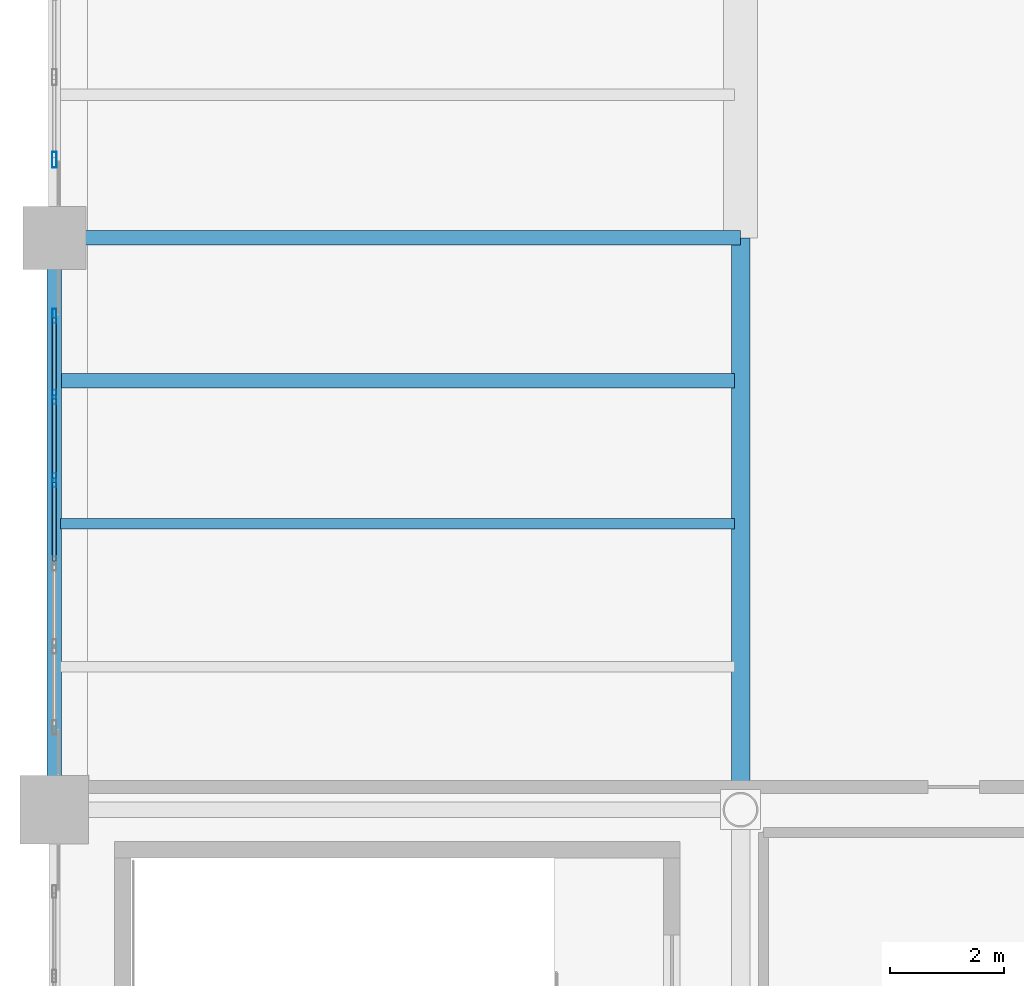
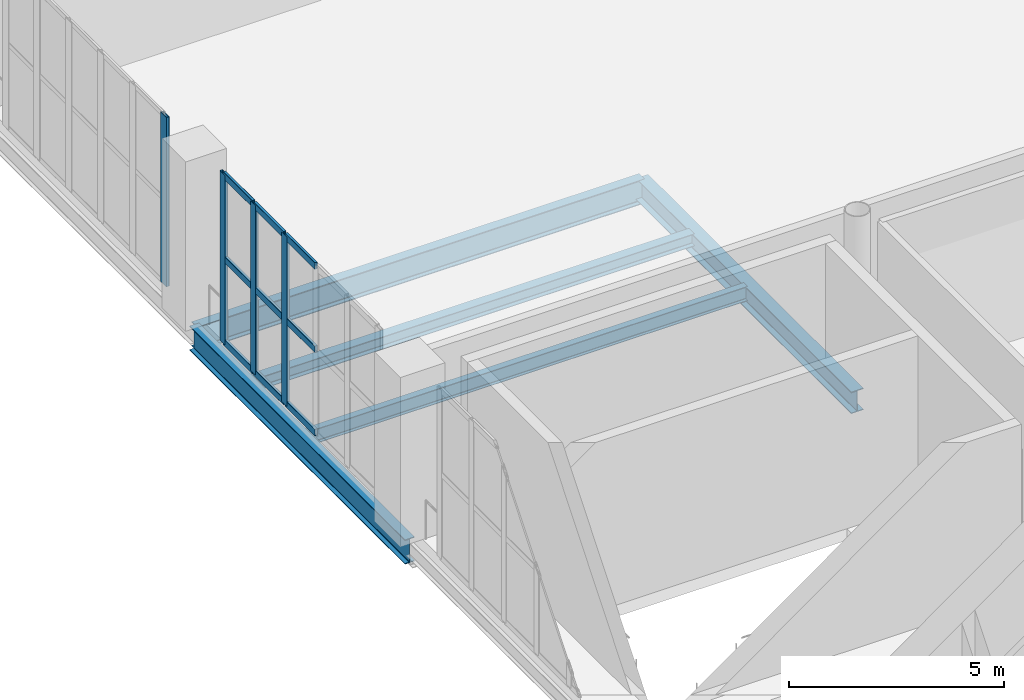
# One storey, part 16 of 49: 13 members, 5 beams, 2 elements without a shape of their own.
"""IFC4 building model written with IfcOpenShell, lengths in metres."""

from ifc_helpers import new_model, si_unit, direction, frame, origin, origin_2d, place, context, subcontext, project, spatial, hollow_rectangle, i_section, extrude, material, layer, layer_set, material_profile, profile_set, type_object, element, aggregate, save


model = new_model("IFC4")

# Units and contexts
model_context = context("Model", 3, precision=1e-05, world=origin(), true_north=direction((0.0, 1.0)))
body_context = subcontext(model_context, "Body", "Model", "MODEL_VIEW")
ifc_project = project(units=[si_unit("LENGTHUNIT", "METRE"), si_unit("AREAUNIT", "SQUARE_METRE"), si_unit("VOLUMEUNIT", "CUBIC_METRE"), si_unit("PLANEANGLEUNIT", "RADIAN"), si_unit("MASSUNIT", "GRAM", prefix="KILO")], contexts=[model_context])

# Site, building, storey
site_placement = place(None, origin())
site = spatial("IfcSite", under=ifc_project, at=site_placement, CompositionType="ELEMENT")
building_placement = place(site_placement, origin())
building = spatial("IfcBuilding", under=site, at=building_placement, Name="Brinegate Civic Arena", CompositionType="ELEMENT")
storey_placement = place(building_placement, frame((0.0, 0.0, 24.60009765625)))
storey = spatial("IfcBuildingStorey", under=building, at=storey_placement, Name="L05", CompositionType="ELEMENT", Elevation=24.60009765625)

# Curtain wall, members
ifc_material_1 = material(Name="Marine grade aluminium", Category="aluminium")
ifc_layer = layer(ifc_material_1, 0.199951171875, Name="Marine grade aluminium")
ifc_layer_set = layer_set([ifc_layer], Name="Marine grade aluminium")
curtain_wall_type = type_object("IfcCurtainWallType", Name="CW-BOWL-GLAZED-01", PredefinedType="USERDEFINED", material=ifc_layer_set)
curtain_wall_1_placement = place(storey_placement, origin())
curtain_wall_1 = element("IfcCurtainWall", 1, at=curtain_wall_1_placement, inside=storey, type_object=curtain_wall_type, Name="Curtain Wall CWA-158", ObjectType="GLAZED CURTAIN WALL", PredefinedType="USERDEFINED")
ifc_material_profile_1 = material_profile(ifc_material_1, hollow_rectangle(XDim=0.074951171875, YDim=0.25, WallThickness=0.006103515625, InnerFilletRadius=0.00390625, OuterFilletRadius=0.008056640625, at=origin_2d()), Name="MUL75X250")
ifc_profile_set_1 = profile_set([ifc_material_profile_1], Name="Marine grade aluminium")
member_type_1 = type_object("IfcMemberType", Name="CW-MULLION-75X250", PredefinedType="MULLION", material=ifc_profile_set_1)
member_1_placement = place(storey_placement, frame((48.0, 57.7626953125, 0.0), z_axis=(0.0, 0.0, 1.0), x_axis=(-1.0, 0.0, 0.0)))
member_1 = element("IfcMember", 2, at=member_1_placement, type_object=member_type_1, Name="CWA-158 mullion 4", PredefinedType="MULLION", context=body_context, shape_type="SweptSolid", body=[
    extrude(hollow_rectangle(XDim=0.074951171875, YDim=0.25, WallThickness=0.006103515625, InnerFilletRadius=0.00390625, OuterFilletRadius=0.008056640625, at=origin_2d()), origin(), (0.0, 0.0, 1.0), 4.7998046875),
])
member_2_placement = place(storey_placement, frame((48.0, 59.21728515625, 0.0), z_axis=(0.0, 0.0, 1.0), x_axis=(-1.0, 0.0, 0.0)))
member_2 = element("IfcMember", 3, at=member_2_placement, type_object=member_type_1, Name="CWA-158 mullion 5", PredefinedType="MULLION", context=body_context, shape_type="SweptSolid", body=[
    extrude(hollow_rectangle(XDim=0.074951171875, YDim=0.25, WallThickness=0.006103515625, InnerFilletRadius=0.00390625, OuterFilletRadius=0.008056640625, at=origin_2d()), origin(), (0.0, 0.0, 1.0), 4.7998046875),
])
member_3_placement = place(storey_placement, frame((48.0, 60.634521484375, 0.0), z_axis=(0.0, 0.0, 1.0), x_axis=(-1.0, 0.0, 0.0)))
member_3 = element("IfcMember", 4, at=member_3_placement, type_object=member_type_1, Name="CWA-158 mullion 6", PredefinedType="MULLION", context=body_context, shape_type="SweptSolid", body=[
    extrude(hollow_rectangle(XDim=0.074951171875, YDim=0.25, WallThickness=0.006103515625, InnerFilletRadius=0.00390625, OuterFilletRadius=0.008056640625, at=origin_2d()), origin(), (0.0, 0.0, 1.0), 4.7998046875),
])

# Curtain wall, member
curtain_wall_2_placement = place(storey_placement, origin())
curtain_wall_2 = element("IfcCurtainWall", 5, at=curtain_wall_2_placement, inside=storey, type_object=curtain_wall_type, Name="Curtain Wall CWA-159", ObjectType="GLAZED CURTAIN WALL", PredefinedType="USERDEFINED")
ifc_material_profile_2 = material_profile(ifc_material_1, hollow_rectangle(XDim=0.080078125, YDim=0.280029296875, WallThickness=0.007080078125, InnerFilletRadius=0.0048828125, OuterFilletRadius=0.010009765625, at=origin_2d()), Name="MUL80X280")
ifc_profile_set_2 = profile_set([ifc_material_profile_2], Name="Marine grade aluminium")
member_type_2 = type_object("IfcMemberType", Name="CW-MULLION-80X280", PredefinedType="MULLION", material=ifc_profile_set_2)
member_4_placement = place(storey_placement, frame((48.0, 63.367919921875, 0.0), z_axis=(0.0, 0.0, 1.0), x_axis=(-1.0, 0.0, 0.0)))
member_4 = element("IfcMember", 6, at=member_4_placement, type_object=member_type_2, Name="CWA-159 mullion 1", PredefinedType="MULLION", context=body_context, shape_type="SweptSolid", body=[
    extrude(hollow_rectangle(XDim=0.080078125, YDim=0.280029296875, WallThickness=0.007080078125, InnerFilletRadius=0.0048828125, OuterFilletRadius=0.010009765625, at=origin_2d()), origin(), (0.0, 0.0, 1.0), 4.7998046875),
])
aggregate(curtain_wall_2, [member_4])

# Member
ifc_material_profile_3 = material_profile(ifc_material_1, hollow_rectangle(XDim=0.074951171875, YDim=0.18994140625, WallThickness=0.006103515625, InnerFilletRadius=0.00390625, OuterFilletRadius=0.008056640625, at=origin_2d()), Name="TRN75X190")
ifc_profile_set_3 = profile_set([ifc_material_profile_3], Name="Marine grade aluminium")
member_type_3 = type_object("IfcMemberType", Name="CW-TRANSOM-75X190", PredefinedType="USERDEFINED", material=ifc_profile_set_3)
member_5_placement = place(storey_placement, frame((48.0, 56.345703125, 0.037353515625), z_axis=(0.0, 1.0, 0.0), x_axis=(-1.0, 0.0, 0.0)))
member_5 = element("IfcMember", 7, at=member_5_placement, type_object=member_type_3, Name="CWA-158 transom 3.1", ObjectType="TRANSOM", PredefinedType="USERDEFINED", context=body_context, shape_type="SweptSolid", body=[
    extrude(hollow_rectangle(XDim=0.074951171875, YDim=0.18994140625, WallThickness=0.006103515625, InnerFilletRadius=0.00390625, OuterFilletRadius=0.008056640625, at=origin_2d()), origin(), (0.0, 0.0, 1.0), 1.379638671875),
])

member_6_placement = place(storey_placement, frame((48.0, 56.345703125, 2.39990234375), z_axis=(0.0, 1.0, 0.0), x_axis=(-1.0, 0.0, 0.0)))
member_6 = element("IfcMember", 8, at=member_6_placement, type_object=member_type_3, Name="CWA-158 transom 3.2", ObjectType="TRANSOM", PredefinedType="USERDEFINED", context=body_context, shape_type="SweptSolid", body=[
    extrude(hollow_rectangle(XDim=0.074951171875, YDim=0.18994140625, WallThickness=0.006103515625, InnerFilletRadius=0.00390625, OuterFilletRadius=0.008056640625, at=origin_2d()), origin(), (0.0, 0.0, 1.0), 1.379638671875),
])

member_7_placement = place(storey_placement, frame((48.0, 56.345703125, 4.762451171875), z_axis=(0.0, 1.0, 0.0), x_axis=(-1.0, 0.0, 0.0)))
member_7 = element("IfcMember", 9, at=member_7_placement, type_object=member_type_3, Name="CWA-158 transom 3.3", ObjectType="TRANSOM", PredefinedType="USERDEFINED", context=body_context, shape_type="SweptSolid", body=[
    extrude(hollow_rectangle(XDim=0.074951171875, YDim=0.18994140625, WallThickness=0.006103515625, InnerFilletRadius=0.00390625, OuterFilletRadius=0.008056640625, at=origin_2d()), origin(), (0.0, 0.0, 1.0), 1.379638671875),
])

member_8_placement = place(storey_placement, frame((48.0, 57.80029296875, 0.037353515625), z_axis=(0.0, 1.0, 0.0), x_axis=(-1.0, 0.0, 0.0)))
member_8 = element("IfcMember", 10, at=member_8_placement, type_object=member_type_3, Name="CWA-158 transom 4.1", ObjectType="TRANSOM", PredefinedType="USERDEFINED", context=body_context, shape_type="SweptSolid", body=[
    extrude(hollow_rectangle(XDim=0.074951171875, YDim=0.18994140625, WallThickness=0.006103515625, InnerFilletRadius=0.00390625, OuterFilletRadius=0.008056640625, at=origin_2d()), origin(), (0.0, 0.0, 1.0), 1.379638671875),
])

member_9_placement = place(storey_placement, frame((48.0, 57.80029296875, 2.39990234375), z_axis=(0.0, 1.0, 0.0), x_axis=(-1.0, 0.0, 0.0)))
member_9 = element("IfcMember", 11, at=member_9_placement, type_object=member_type_3, Name="CWA-158 transom 4.2", ObjectType="TRANSOM", PredefinedType="USERDEFINED", context=body_context, shape_type="SweptSolid", body=[
    extrude(hollow_rectangle(XDim=0.074951171875, YDim=0.18994140625, WallThickness=0.006103515625, InnerFilletRadius=0.00390625, OuterFilletRadius=0.008056640625, at=origin_2d()), origin(), (0.0, 0.0, 1.0), 1.379638671875),
])

member_10_placement = place(storey_placement, frame((48.0, 57.80029296875, 4.762451171875), z_axis=(0.0, 1.0, 0.0), x_axis=(-1.0, 0.0, 0.0)))
member_10 = element("IfcMember", 12, at=member_10_placement, type_object=member_type_3, Name="CWA-158 transom 4.3", ObjectType="TRANSOM", PredefinedType="USERDEFINED", context=body_context, shape_type="SweptSolid", body=[
    extrude(hollow_rectangle(XDim=0.074951171875, YDim=0.18994140625, WallThickness=0.006103515625, InnerFilletRadius=0.00390625, OuterFilletRadius=0.008056640625, at=origin_2d()), origin(), (0.0, 0.0, 1.0), 1.379638671875),
])

member_11_placement = place(storey_placement, frame((48.0, 59.2548828125, 0.037353515625), z_axis=(0.0, 1.0, 0.0), x_axis=(-1.0, 0.0, 0.0)))
member_11 = element("IfcMember", 13, at=member_11_placement, type_object=member_type_3, Name="CWA-158 transom 5.1", ObjectType="TRANSOM", PredefinedType="USERDEFINED", context=body_context, shape_type="SweptSolid", body=[
    extrude(hollow_rectangle(XDim=0.074951171875, YDim=0.18994140625, WallThickness=0.006103515625, InnerFilletRadius=0.00390625, OuterFilletRadius=0.008056640625, at=origin_2d()), origin(), (0.0, 0.0, 1.0), 1.342041015625),
])

member_12_placement = place(storey_placement, frame((48.0, 59.2548828125, 2.39990234375), z_axis=(0.0, 1.0, 0.0), x_axis=(-1.0, 0.0, 0.0)))
member_12 = element("IfcMember", 14, at=member_12_placement, type_object=member_type_3, Name="CWA-158 transom 5.2", ObjectType="TRANSOM", PredefinedType="USERDEFINED", context=body_context, shape_type="SweptSolid", body=[
    extrude(hollow_rectangle(XDim=0.074951171875, YDim=0.18994140625, WallThickness=0.006103515625, InnerFilletRadius=0.00390625, OuterFilletRadius=0.008056640625, at=origin_2d()), origin(), (0.0, 0.0, 1.0), 1.342041015625),
])

member_13_placement = place(storey_placement, frame((48.0, 59.2548828125, 4.762451171875), z_axis=(0.0, 1.0, 0.0), x_axis=(-1.0, 0.0, 0.0)))
member_13 = element("IfcMember", 15, at=member_13_placement, type_object=member_type_3, Name="CWA-158 transom 5.3", ObjectType="TRANSOM", PredefinedType="USERDEFINED", context=body_context, shape_type="SweptSolid", body=[
    extrude(hollow_rectangle(XDim=0.074951171875, YDim=0.18994140625, WallThickness=0.006103515625, InnerFilletRadius=0.00390625, OuterFilletRadius=0.008056640625, at=origin_2d()), origin(), (0.0, 0.0, 1.0), 1.342041015625),
])

aggregate(curtain_wall_1, [member_1, member_2, member_3, member_5, member_6, member_7, member_8, member_9, member_10, member_11, member_12, member_13])

# Beams
ifc_material_2 = material(Name="Steel S355", Category="steel")
ifc_material_profile_4 = material_profile(ifc_material_2, i_section(OverallWidth=0.324951171875, OverallDepth=0.615966796875, WebThickness=0.013916015625, FlangeThickness=0.02197265625, FilletRadius=0.01611328125, at=origin_2d()), Name="W610X174")
ifc_profile_set_4 = profile_set([ifc_material_profile_4], Name="Steel S355")
beam_type_1 = type_object("IfcBeamType", Name="GIRDER-W610X174", PredefinedType="BEAM", material=ifc_profile_set_4)
beam_1_placement = place(storey_placement, frame((60.0, 52.0, -0.63818359375), z_axis=(0.0, 1.0, 0.0), x_axis=(-1.0, 0.0, 0.0)))
element("IfcBeam", 16, at=beam_1_placement, inside=storey, type_object=beam_type_1, Name="Floor Girder BM-L05-GY-05-05", PredefinedType="BEAM", context=body_context, shape_type="SweptSolid", body=[
    extrude(i_section(OverallWidth=0.324951171875, OverallDepth=0.615966796875, WebThickness=0.013916015625, FlangeThickness=0.02197265625, FilletRadius=0.01611328125, at=origin_2d()), origin(), (0.0, 0.0, 1.0), 10.0),
])
ifc_material_profile_5 = material_profile(ifc_material_2, i_section(OverallWidth=0.256103515625, OverallDepth=0.693115234375, WebThickness=0.014892578125, FlangeThickness=0.02392578125, FilletRadius=0.01806640625, at=origin_2d()), Name="W690X170")
ifc_profile_set_5 = profile_set([ifc_material_profile_5], Name="Steel S355")
beam_type_2 = type_object("IfcBeamType", Name="GIRDER-W690X170", PredefinedType="BEAM", material=ifc_profile_set_5)
beam_2_placement = place(storey_placement, frame((48.0, 62.0, -0.676025390625), z_axis=(1.0, 0.0, 0.0), x_axis=(0.0, 1.0, 0.0)))
element("IfcBeam", 17, at=beam_2_placement, inside=storey, type_object=beam_type_2, Name="Floor Girder BM-L05-GX-04-06", PredefinedType="BEAM", context=body_context, shape_type="SweptSolid", body=[
    extrude(i_section(OverallWidth=0.256103515625, OverallDepth=0.693115234375, WebThickness=0.014892578125, FlangeThickness=0.02392578125, FilletRadius=0.01806640625, at=origin_2d()), origin(), (0.0, 0.0, 1.0), 12.0),
])
ifc_material_profile_6 = material_profile(ifc_material_2, i_section(OverallWidth=0.25390625, OverallDepth=0.35302734375, WebThickness=0.010009765625, FlangeThickness=0.01611328125, FilletRadius=0.013916015625, at=origin_2d()), Name="W360X91")
ifc_profile_set_6 = profile_set([ifc_material_profile_6], Name="Steel S355")
beam_type_3 = type_object("IfcBeamType", Name="JOIST-W360X91", PredefinedType="JOIST", material=ifc_profile_set_6)
beam_3_placement = place(storey_placement, frame((48.10595703125, 59.5, -0.506103515625), z_axis=(1.0, 0.0, 0.0), x_axis=(0.0, 1.0, 0.0)))
element("IfcBeam", 18, at=beam_3_placement, inside=storey, type_object=beam_type_3, Name="Secondary Joist BM-L05-JX-04-05-3", PredefinedType="JOIST", context=body_context, shape_type="SweptSolid", body=[
    extrude(i_section(OverallWidth=0.25390625, OverallDepth=0.35302734375, WebThickness=0.010009765625, FlangeThickness=0.01611328125, FilletRadius=0.013916015625, at=origin_2d()), origin(), (0.0, 0.0, 1.0), 11.7880859375),
])
ifc_material_profile_7 = material_profile(ifc_material_2, i_section(OverallWidth=0.178955078125, OverallDepth=0.409912109375, WebThickness=0.009033203125, FlangeThickness=0.013916015625, FilletRadius=0.013916015625, at=origin_2d()), Name="W410X67")
ifc_profile_set_7 = profile_set([ifc_material_profile_7], Name="Steel S355")
beam_type_4 = type_object("IfcBeamType", Name="JOIST-W410X67", PredefinedType="JOIST", material=ifc_profile_set_7)
beam_4_placement = place(storey_placement, frame((48.10595703125, 57.0, -0.53515625), z_axis=(1.0, 0.0, 0.0), x_axis=(0.0, 1.0, 0.0)))
element("IfcBeam", 19, at=beam_4_placement, inside=storey, type_object=beam_type_4, Name="Secondary Joist BM-L05-JX-04-05-2", PredefinedType="JOIST", context=body_context, shape_type="SweptSolid", body=[
    extrude(i_section(OverallWidth=0.178955078125, OverallDepth=0.409912109375, WebThickness=0.009033203125, FlangeThickness=0.013916015625, FilletRadius=0.013916015625, at=origin_2d()), origin(), (0.0, 0.0, 1.0), 11.7880859375),
])
ifc_material_profile_8 = material_profile(ifc_material_2, i_section(OverallWidth=0.256103515625, OverallDepth=0.693115234375, WebThickness=0.014892578125, FlangeThickness=0.02392578125, FilletRadius=0.01806640625, at=origin_2d()), Name="W690X170")
ifc_profile_set_8 = profile_set([ifc_material_profile_8], Name="Steel S355")
beam_type_5 = type_object("IfcBeamType", Name="SPANDREL-W690X170", PredefinedType="SPANDREL", material=ifc_profile_set_8)
beam_5_placement = place(storey_placement, frame((48.0, 52.0, -0.676025390625), z_axis=(0.0, 1.0, 0.0), x_axis=(-1.0, 0.0, 0.0)))
element("IfcBeam", 20, at=beam_5_placement, inside=storey, type_object=beam_type_5, Name="Floor Girder BM-L05-GY-04-05", PredefinedType="SPANDREL", context=body_context, shape_type="SweptSolid", body=[
    extrude(i_section(OverallWidth=0.256103515625, OverallDepth=0.693115234375, WebThickness=0.014892578125, FlangeThickness=0.02392578125, FilletRadius=0.01806640625, at=origin_2d()), origin(), (0.0, 0.0, 1.0), 10.0),
])

save(model, "model.ifc")
